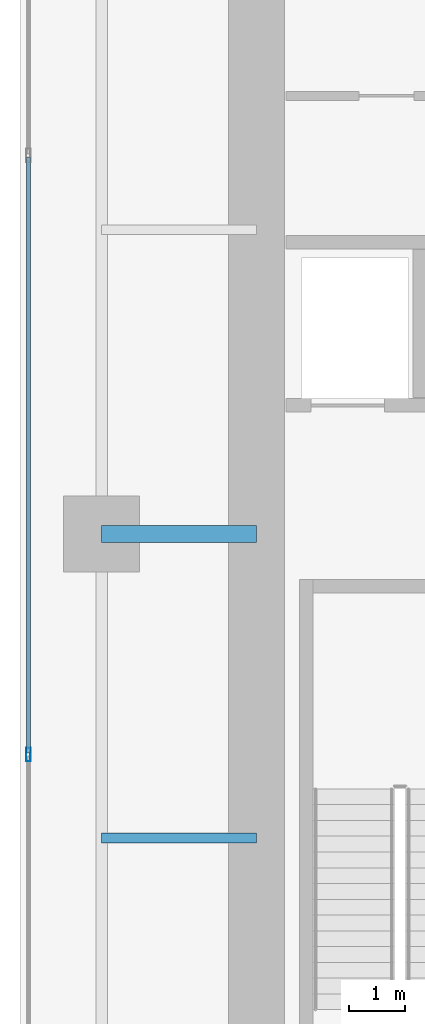
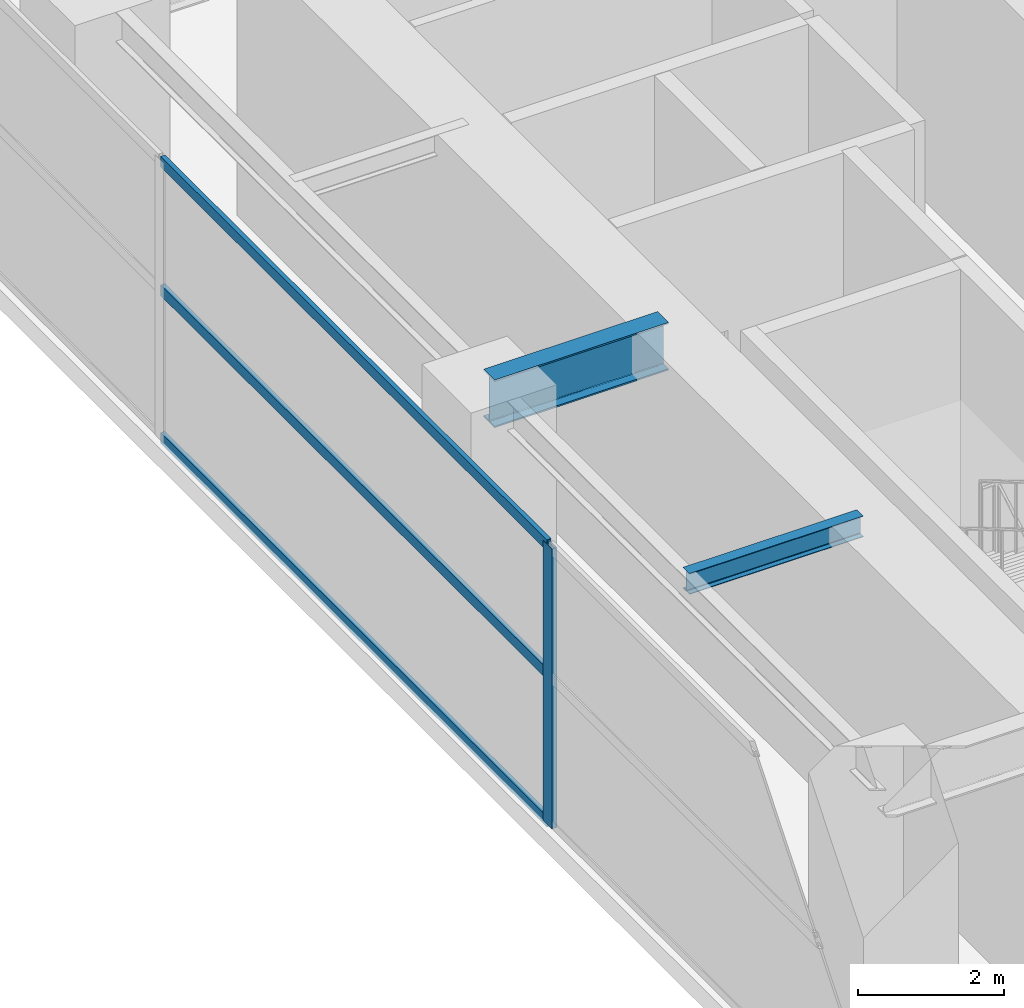
# One storey, part 9 of 35: 4 members, 2 beams, 1 element without a shape of its own.
"""IFC4 building model written with IfcOpenShell, lengths in metres."""

from ifc_helpers import new_model, si_unit, direction, frame, origin, origin_2d, place, context, subcontext, project, spatial, hollow_rectangle, i_section, extrude, material, layer, layer_set, material_profile, profile_set, type_object, element, aggregate, save


model = new_model("IFC4")

# Units and contexts
model_context = context("Model", 3, precision=1e-05, world=origin(), true_north=direction((0.0, 1.0)))
body_context = subcontext(model_context, "Body", "Model", "MODEL_VIEW")
ifc_project = project(units=[si_unit("LENGTHUNIT", "METRE"), si_unit("AREAUNIT", "SQUARE_METRE"), si_unit("VOLUMEUNIT", "CUBIC_METRE"), si_unit("PLANEANGLEUNIT", "RADIAN"), si_unit("MASSUNIT", "GRAM", prefix="KILO")], contexts=[model_context])

# Site, building, storey
site_placement = place(None, origin())
site = spatial("IfcSite", under=ifc_project, at=site_placement, CompositionType="ELEMENT")
building_placement = place(site_placement, origin())
building = spatial("IfcBuilding", under=site, at=building_placement, Name="Calvorn Quay Hotel", CompositionType="ELEMENT")
storey_placement = place(building_placement, frame((0.0, 0.0, 12.0)))
storey = spatial("IfcBuildingStorey", under=building, at=storey_placement, Name="L02", CompositionType="ELEMENT", Elevation=12.0)

# Beams
ifc_material_1 = material(Name="Steel Q390GJC", Category="steel")
ifc_material_profile_1 = material_profile(ifc_material_1, i_section(OverallWidth=0.300048828125, OverallDepth=0.800048828125, WebThickness=0.013916015625, FlangeThickness=0.02587890625, FilletRadius=0.02392578125, at=origin_2d()), Name="HN800x300x14x26")
ifc_profile_set_1 = profile_set([ifc_material_profile_1], Name="Steel Q390GJC")
beam_type_1 = type_object("IfcBeamType", Name="BM-GIRD-POD", PredefinedType="BEAM", material=ifc_profile_set_1)
beam_1_placement = place(storey_placement, frame((1.449951171875, 27.60009765625, 4.280029296875), z_axis=(1.0, 0.0, 0.0), x_axis=(0.0, 1.0, 0.0)))
element("IfcBeam", 1, at=beam_1_placement, inside=storey, type_object=beam_type_1, Name="Beam BG-L02-W2", PredefinedType="BEAM", context=body_context, shape_type="SweptSolid", body=[
    extrude(i_section(OverallWidth=0.300048828125, OverallDepth=0.800048828125, WebThickness=0.013916015625, FlangeThickness=0.02587890625, FilletRadius=0.02392578125, at=origin_2d()), origin(), (0.0, 0.0, 1.0), 2.75),
])
ifc_material_2 = material(Name="Steel Q355B", Category="steel")
ifc_material_profile_2 = material_profile(ifc_material_2, i_section(OverallWidth=0.175048828125, OverallDepth=0.35009765625, WebThickness=0.007080078125, FlangeThickness=0.010986328125, FilletRadius=0.013916015625, at=origin_2d()), Name="HN350x175x7x11")
ifc_profile_set_2 = profile_set([ifc_material_profile_2], Name="Steel Q355B")
beam_type_2 = type_object("IfcBeamType", Name="BM-JOIST-SEC", PredefinedType="JOIST", material=ifc_profile_set_2)
beam_2_placement = place(storey_placement, frame((1.449951171875, 22.199951171875, 4.5048828125), z_axis=(1.0, 0.0, 0.0), x_axis=(0.0, 1.0, 0.0)))
element("IfcBeam", 2, at=beam_2_placement, inside=storey, type_object=beam_type_2, Name="Beam BJ-L02-W3", PredefinedType="JOIST", context=body_context, shape_type="SweptSolid", body=[
    extrude(i_section(OverallWidth=0.175048828125, OverallDepth=0.35009765625, WebThickness=0.007080078125, FlangeThickness=0.010986328125, FilletRadius=0.013916015625, at=origin_2d()), origin(), (0.0, 0.0, 1.0), 2.75),
])

# Curtain wall, members
ifc_material_3 = material(Name="Pale Anodised Aluminium and Low-E Glass", Category="aluminium")
ifc_layer = layer(ifc_material_3, 0.219970703125)
ifc_layer_set = layer_set([ifc_layer], Name="CW-SYS-POD")
curtain_wall_type = type_object("IfcCurtainWallType", Name="CW-SYS-POD", PredefinedType="NOTDEFINED", material=ifc_layer_set)
curtain_wall_placement = place(storey_placement, origin())
curtain_wall = element("IfcCurtainWall", 3, at=curtain_wall_placement, inside=storey, type_object=curtain_wall_type, Name="Podium Curtain Wall L02-W1", PredefinedType="NOTDEFINED")
ifc_material_4 = material(Name="Pale Anodised Aluminium 6063-T6", Category="aluminium")
ifc_material_profile_3 = material_profile(ifc_material_4, hollow_rectangle(XDim=0.080078125, YDim=0.239990234375, WallThickness=0.0048828125, at=origin_2d()), Name="ALU-M240x80x5")
ifc_profile_set_3 = profile_set([ifc_material_profile_3], Name="Pale Anodised Aluminium 6063-T6")
member_type_1 = type_object("IfcMemberType", Name="CW-SYS-POD-MUL", PredefinedType="MULLION", material=ifc_profile_set_3)
member_1_placement = place(storey_placement, frame((0.14990234375, 23.679931640625, 0.0), z_axis=(0.0, 0.0, 1.0), x_axis=(-1.0, 0.0, 0.0)))
member_1 = element("IfcMember", 4, at=member_1_placement, type_object=member_type_1, Name="CW-L02-W1 mullion 3", PredefinedType="MULLION", context=body_context, shape_type="SweptSolid", body=[
    extrude(hollow_rectangle(XDim=0.080078125, YDim=0.239990234375, WallThickness=0.0048828125, at=origin_2d()), origin(), (0.0, 0.0, 1.0), 4.679931640625),
])
ifc_material_5 = material(Name="Pale Anodised Aluminium 6063-T6", Category="aluminium")
ifc_material_profile_4 = material_profile(ifc_material_5, hollow_rectangle(XDim=0.070068359375, YDim=0.179931640625, WallThickness=0.00390625, at=origin_2d()), Name="ALU-T180x70x4")
ifc_profile_set_4 = profile_set([ifc_material_profile_4], Name="Pale Anodised Aluminium 6063-T6")
member_type_2 = type_object("IfcMemberType", Name="CW-SYS-POD-TRN", PredefinedType="USERDEFINED", material=ifc_profile_set_4)
member_2_placement = place(storey_placement, frame((0.14990234375, 23.7099609375, 0.030029296875), z_axis=(0.0, 1.0, 0.0), x_axis=(-1.0, 0.0, 0.0)))
member_2 = element("IfcMember", 5, at=member_2_placement, type_object=member_type_2, Name="CW-L02-W1 transom 3.1", ObjectType="TRANSOM", PredefinedType="USERDEFINED", context=body_context, shape_type="SweptSolid", body=[
    extrude(hollow_rectangle(XDim=0.070068359375, YDim=0.179931640625, WallThickness=0.00390625, at=origin_2d()), origin(), (0.0, 0.0, 1.0), 10.580078125),
])
member_3_placement = place(storey_placement, frame((0.14990234375, 23.7099609375, 2.5), z_axis=(0.0, 1.0, 0.0), x_axis=(-1.0, 0.0, 0.0)))
member_3 = element("IfcMember", 6, at=member_3_placement, type_object=member_type_2, Name="CW-L02-W1 transom 3.2", ObjectType="TRANSOM", PredefinedType="USERDEFINED", context=body_context, shape_type="SweptSolid", body=[
    extrude(hollow_rectangle(XDim=0.070068359375, YDim=0.179931640625, WallThickness=0.00390625, at=origin_2d()), origin(), (0.0, 0.0, 1.0), 10.580078125),
])
member_4_placement = place(storey_placement, frame((0.14990234375, 23.7099609375, 4.64990234375), z_axis=(0.0, 1.0, 0.0), x_axis=(-1.0, 0.0, 0.0)))
member_4 = element("IfcMember", 7, at=member_4_placement, type_object=member_type_2, Name="CW-L02-W1 transom 3.3", ObjectType="TRANSOM", PredefinedType="USERDEFINED", context=body_context, shape_type="SweptSolid", body=[
    extrude(hollow_rectangle(XDim=0.070068359375, YDim=0.179931640625, WallThickness=0.00390625, at=origin_2d()), origin(), (0.0, 0.0, 1.0), 10.580078125),
])
aggregate(curtain_wall, [member_1, member_2, member_3, member_4])

save(model, "model.ifc")
